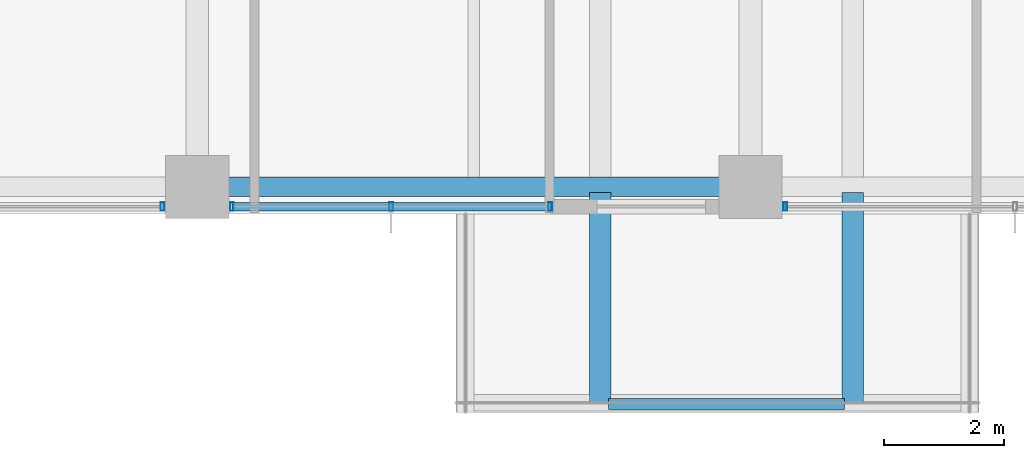
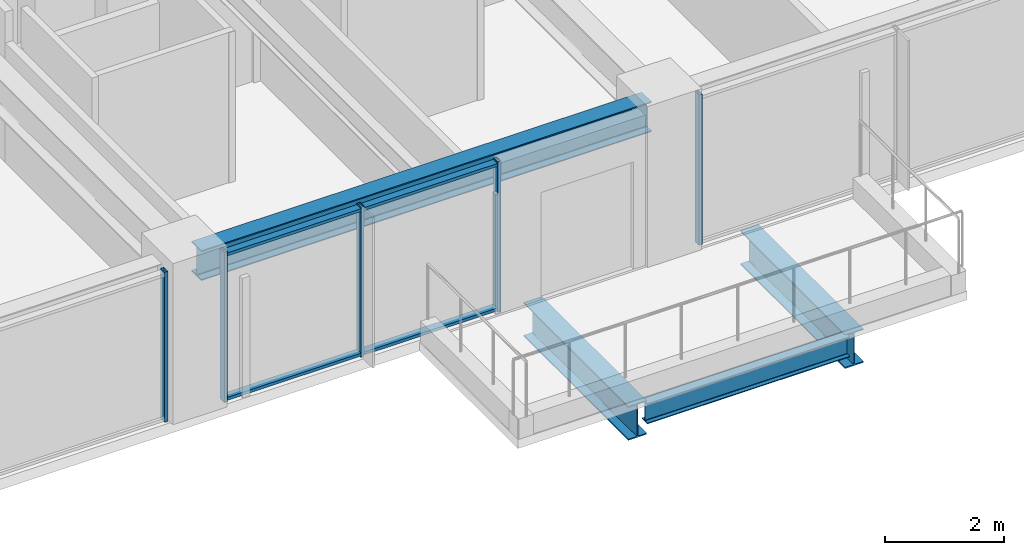
# One storey, part 5 of 38: 7 members, 4 beams, 3 elements without a shape of their own.
"""IFC4 building model written with IfcOpenShell, lengths in metres."""

from ifc_helpers import new_model, si_unit, direction, frame, origin, origin_2d, place, context, subcontext, project, spatial, hollow_rectangle, i_section, extrude, material, material_profile, profile_set, type_object, element, aggregate, save


model = new_model("IFC4")

# Units and contexts
model_context = context("Model", 3, precision=1e-05, world=origin(), true_north=direction((0.0, 1.0)))
body_context = subcontext(model_context, "Body", "Model", "MODEL_VIEW")
ifc_project = project(units=[si_unit("LENGTHUNIT", "METRE"), si_unit("AREAUNIT", "SQUARE_METRE"), si_unit("VOLUMEUNIT", "CUBIC_METRE"), si_unit("PLANEANGLEUNIT", "RADIAN"), si_unit("MASSUNIT", "GRAM", prefix="KILO")], contexts=[model_context])

# Site, building, storey
site_placement = place(None, origin())
site = spatial("IfcSite", under=ifc_project, at=site_placement, CompositionType="ELEMENT")
building_placement = place(site_placement, origin())
building = spatial("IfcBuilding", under=site, at=building_placement, Name="Kolvaren Belvedere", CompositionType="ELEMENT")
storey_placement = place(building_placement, frame((0.0, 0.0, 101.89990234375)))
storey = spatial("IfcBuildingStorey", under=building, at=storey_placement, Name="L29", CompositionType="ELEMENT", Elevation=101.89990234375)

# Beams
ifc_material_1 = material(Name="Structural steel ASTM A992 Grade 50", Category="steel")
ifc_material_profile_1 = material_profile(ifc_material_1, i_section(OverallWidth=0.35498046875, OverallDepth=0.696044921875, WebThickness=0.015380859375, FlangeThickness=0.02490234375, FilletRadius=0.02197265625, at=origin_2d()), Name="W27X146")
ifc_profile_set_1 = profile_set([ifc_material_profile_1], Name="Structural steel ASTM A992 Grade 50")
beam_type_1 = type_object("IfcBeamType", Name="BM-CANT-BAL", PredefinedType="BEAM", material=ifc_profile_set_1)
for number, where, z_axis, x_axis, name in (
    (1, (2.10009765625, -20.044921875, -0.56787109375), (0.0, -1.0, 0.0), (1.0, 0.0, 0.0), "L29 Planted Balcony Cantilever SPIRAL-04-S-1"),
    (2, (6.300048828125, -20.044921875, -0.56787109375), (0.0, -1.0, 0.0), (1.0, 0.0, 0.0), "L29 Planted Balcony Cantilever SPIRAL-04-S-2"),
):
    element("IfcBeam", number, at=place(storey_placement, frame(where, z_axis=z_axis, x_axis=x_axis)), inside=storey, type_object=beam_type_1, Name=name, PredefinedType="BEAM", context=body_context, shape_type="SweptSolid", body=[
        extrude(i_section(OverallWidth=0.35498046875, OverallDepth=0.696044921875, WebThickness=0.015380859375, FlangeThickness=0.02490234375, FilletRadius=0.02197265625, at=origin_2d()), origin(), (0.0, 0.0, 1.0), 3.51513671875),
    ])
ifc_material_2 = material(Name="Structural steel ASTM A992 Grade 50", Category="steel")
ifc_material_profile_2 = material_profile(ifc_material_2, i_section(OverallWidth=0.180908203125, OverallDepth=0.4169921875, WebThickness=0.010986328125, FlangeThickness=0.018310546875, FilletRadius=0.013916015625, at=origin_2d()), Name="W16X57")
ifc_profile_set_2 = profile_set([ifc_material_profile_2], Name="Structural steel ASTM A992 Grade 50")
beam_type_2 = type_object("IfcBeamType", Name="BM-EDGE-W16X57", PredefinedType="BEAM", material=ifc_profile_set_2)
beam_1_placement = place(storey_placement, frame((2.239990234375, -23.56005859375, -0.428466796875), z_axis=(1.0, 0.0, 0.0), x_axis=(0.0, 1.0, 0.0)))
element("IfcBeam", 3, at=beam_1_placement, inside=storey, type_object=beam_type_2, Name="L29 Balcony Tip Header Beam SPIRAL-04-S", PredefinedType="BEAM", context=body_context, shape_type="SweptSolid", body=[
    extrude(i_section(OverallWidth=0.180908203125, OverallDepth=0.4169921875, WebThickness=0.010986328125, FlangeThickness=0.018310546875, FilletRadius=0.013916015625, at=origin_2d()), origin(), (0.0, 0.0, 1.0), 3.919921875),
])
ifc_material_3 = material(Name="Structural steel ASTM A992 Grade 50", Category="steel")
ifc_material_profile_3 = material_profile(ifc_material_3, i_section(OverallWidth=0.324951171875, OverallDepth=0.615966796875, WebThickness=0.013916015625, FlangeThickness=0.021484375, FilletRadius=0.02001953125, at=origin_2d()), Name="W24X117")
ifc_profile_set_3 = profile_set([ifc_material_profile_3], Name="Structural steel ASTM A992 Grade 50")
beam_type_3 = type_object("IfcBeamType", Name="BM-SPAN-W24X117", PredefinedType="SPANDREL", material=ifc_profile_set_3)
beam_2_placement = place(storey_placement, frame((-4.36376953125, -19.949951171875, 2.772216796875), z_axis=(1.0, 0.0, 0.0), x_axis=(0.0, 1.0, 0.0)))
element("IfcBeam", 4, at=beam_2_placement, inside=storey, type_object=beam_type_3, Name="L29 Perimeter Spandrel S2-S3", PredefinedType="SPANDREL", context=body_context, shape_type="SweptSolid", body=[
    extrude(i_section(OverallWidth=0.324951171875, OverallDepth=0.615966796875, WebThickness=0.013916015625, FlangeThickness=0.021484375, FilletRadius=0.02001953125, at=origin_2d()), origin(), (0.0, 0.0, 1.0), 8.7275390625),
])

# Curtain wall, member
ifc_material_4 = material(Name="Anodised pale-metal aluminium AA 6063-T6", Category="aluminium")
curtain_wall_type = type_object("IfcCurtainWallType", Name="CW-Z2-MID", PredefinedType="NOTDEFINED", material=ifc_material_4)
curtain_wall_1_placement = place(storey_placement, origin())
curtain_wall_1 = element("IfcCurtainWall", 5, at=curtain_wall_1_placement, inside=storey, type_object=curtain_wall_type, Name="L29 Unitised Curtain Wall FCW-L29-S1", PredefinedType="NOTDEFINED")
ifc_material_5 = material(Name="Anodised pale-metal aluminium AA 6063-T6", Category="aluminium")
ifc_material_profile_4 = material_profile(ifc_material_5, hollow_rectangle(XDim=0.06494140625, YDim=0.139892578125, WallThickness=0.00390625, at=origin_2d()), Name="ALU-MUL-140X65")
ifc_profile_set_4 = profile_set([ifc_material_profile_4], Name="Anodised pale-metal aluminium AA 6063-T6")
member_type_1 = type_object("IfcMemberType", Name="CW-MUL-140", PredefinedType="MULLION", material=ifc_profile_set_4)
member_1_placement = place(storey_placement, frame((5.177490234375, -20.280029296875, 0.0), z_axis=(0.0, 0.0, 1.0), x_axis=(1.0, 0.0, 0.0)))
member_1 = element("IfcMember", 6, at=member_1_placement, type_object=member_type_1, Name="FCW-L29-S1 Unitised Mullion 3", PredefinedType="MULLION", context=body_context, shape_type="SweptSolid", body=[
    extrude(hollow_rectangle(XDim=0.06494140625, YDim=0.139892578125, WallThickness=0.00390625, at=origin_2d()), origin(), (0.0, 0.0, 1.0), 3.080078125),
])
aggregate(curtain_wall_1, [member_1])

# Curtain wall, members
curtain_wall_2_placement = place(storey_placement, origin())
curtain_wall_2 = element("IfcCurtainWall", 7, at=curtain_wall_2_placement, inside=storey, type_object=curtain_wall_type, Name="L29 Unitised Curtain Wall FCW-L29-S2-B1", PredefinedType="NOTDEFINED")
member_2_placement = place(storey_placement, frame((1.27001953125, -20.280029296875, 0.0), z_axis=(0.0, 0.0, 1.0), x_axis=(1.0, 0.0, 0.0)))
member_2 = element("IfcMember", 8, at=member_2_placement, type_object=member_type_1, Name="FCW-L29-S2-B1 Unitised Mullion 1", PredefinedType="MULLION", context=body_context, shape_type="SweptSolid", body=[
    extrude(hollow_rectangle(XDim=0.06494140625, YDim=0.139892578125, WallThickness=0.00390625, at=origin_2d()), origin(), (0.0, 0.0, 1.0), 3.080078125),
])
member_3_placement = place(storey_placement, frame((-1.376220703125, -20.280029296875, 0.0), z_axis=(0.0, 0.0, 1.0), x_axis=(1.0, 0.0, 0.0)))
member_3 = element("IfcMember", 9, at=member_3_placement, type_object=member_type_1, Name="FCW-L29-S2-B1 Unitised Mullion 2", PredefinedType="MULLION", context=body_context, shape_type="SweptSolid", body=[
    extrude(hollow_rectangle(XDim=0.06494140625, YDim=0.139892578125, WallThickness=0.00390625, at=origin_2d()), origin(), (0.0, 0.0, 1.0), 3.080078125),
])
member_4_placement = place(storey_placement, frame((-4.0224609375, -20.280029296875, 0.0), z_axis=(0.0, 0.0, 1.0), x_axis=(1.0, 0.0, 0.0)))
member_4 = element("IfcMember", 10, at=member_4_placement, type_object=member_type_1, Name="FCW-L29-S2-B1 Unitised Mullion 3", PredefinedType="MULLION", context=body_context, shape_type="SweptSolid", body=[
    extrude(hollow_rectangle(XDim=0.06494140625, YDim=0.139892578125, WallThickness=0.00390625, at=origin_2d()), origin(), (0.0, 0.0, 1.0), 3.080078125),
])

# Curtain wall, member
curtain_wall_3_placement = place(storey_placement, origin())
curtain_wall_3 = element("IfcCurtainWall", 11, at=curtain_wall_3_placement, inside=storey, type_object=curtain_wall_type, Name="L29 Unitised Curtain Wall FCW-L29-S2-B2", PredefinedType="NOTDEFINED")
member_5_placement = place(storey_placement, frame((-5.177490234375, -20.280029296875, 0.0), z_axis=(0.0, 0.0, 1.0), x_axis=(1.0, 0.0, 0.0)))
member_5 = element("IfcMember", 12, at=member_5_placement, type_object=member_type_1, Name="FCW-L29-S2-B2 Unitised Mullion 1", PredefinedType="MULLION", context=body_context, shape_type="SweptSolid", body=[
    extrude(hollow_rectangle(XDim=0.06494140625, YDim=0.139892578125, WallThickness=0.00390625, at=origin_2d()), origin(), (0.0, 0.0, 1.0), 3.080078125),
])
aggregate(curtain_wall_3, [member_5])

# Member
ifc_material_6 = material(Name="Anodised pale-metal aluminium AA 6063-T6", Category="aluminium")
ifc_material_profile_5 = material_profile(ifc_material_6, hollow_rectangle(XDim=0.06005859375, YDim=0.139892578125, WallThickness=0.00390625, at=origin_2d()), Name="ALU-TRN-140X60")
ifc_profile_set_5 = profile_set([ifc_material_profile_5], Name="Anodised pale-metal aluminium AA 6063-T6")
member_type_2 = type_object("IfcMemberType", Name="CW-TRN-140", PredefinedType="USERDEFINED", material=ifc_profile_set_5)
member_6_placement = place(storey_placement, frame((1.27001953125, -20.280029296875, 0.06005859375), z_axis=(-1.0, 0.0, 0.0), x_axis=(0.0, 0.0, 1.0)))
member_6 = element("IfcMember", 13, at=member_6_placement, type_object=member_type_2, Name="FCW-L29-S2-B1 Sill Transom", ObjectType="TRANSOM", PredefinedType="USERDEFINED", context=body_context, shape_type="SweptSolid", body=[
    extrude(hollow_rectangle(XDim=0.06005859375, YDim=0.139892578125, WallThickness=0.00390625, at=origin_2d()), origin(), (0.0, 0.0, 1.0), 5.29248046875),
])

member_7_placement = place(storey_placement, frame((1.27001953125, -20.280029296875, 3.02001953125), z_axis=(-1.0, 0.0, 0.0), x_axis=(0.0, 0.0, 1.0)))
member_7 = element("IfcMember", 14, at=member_7_placement, type_object=member_type_2, Name="FCW-L29-S2-B1 Head Transom", ObjectType="TRANSOM", PredefinedType="USERDEFINED", context=body_context, shape_type="SweptSolid", body=[
    extrude(hollow_rectangle(XDim=0.06005859375, YDim=0.139892578125, WallThickness=0.00390625, at=origin_2d()), origin(), (0.0, 0.0, 1.0), 5.29248046875),
])

aggregate(curtain_wall_2, [member_2, member_3, member_4, member_6, member_7])

save(model, "model.ifc")
